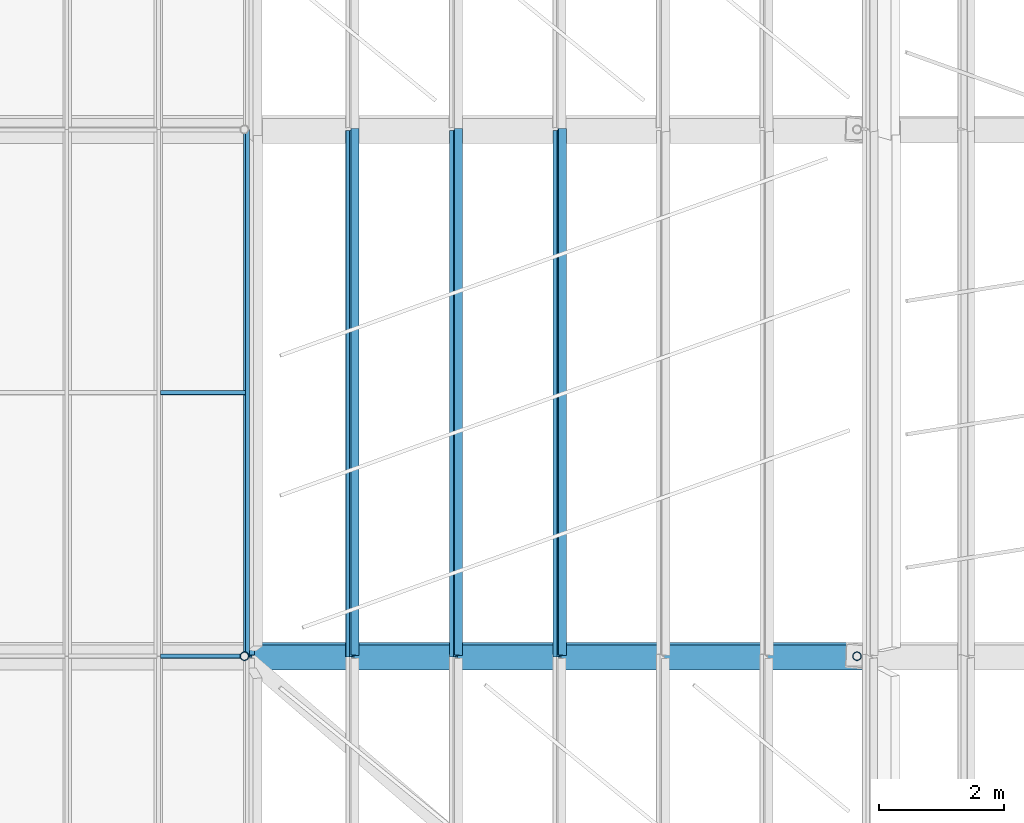
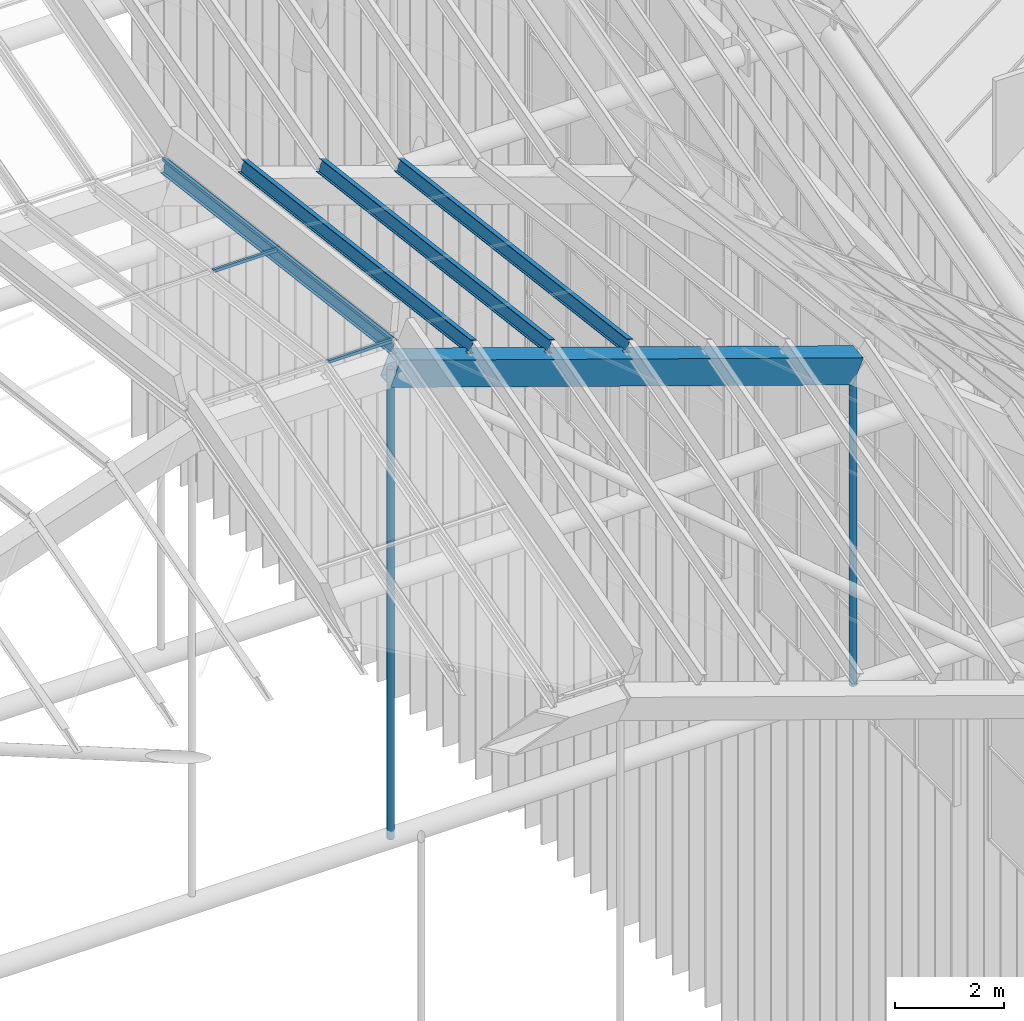
# One storey, part 40 of 126: 9 members, 1 beam.
"""IFC4 building model written with IfcOpenShell, lengths in metres."""

from ifc_helpers import new_model, si_unit, direction, frame, origin, origin_2d, place, context, subcontext, project, spatial, polyline, rectangle, hollow_circle, i_section, outline, extrude, material, material_profile, profile_set, type_object, element, save


model = new_model("IFC4")

# Units and contexts
model_context = context("Model", 3, precision=1e-05, world=origin(), true_north=direction((0.0, 1.0)))
body_context = subcontext(model_context, "Body", "Model", "MODEL_VIEW")
ifc_project = project(units=[si_unit("LENGTHUNIT", "METRE"), si_unit("AREAUNIT", "SQUARE_METRE"), si_unit("VOLUMEUNIT", "CUBIC_METRE"), si_unit("PLANEANGLEUNIT", "RADIAN"), si_unit("MASSUNIT", "GRAM", prefix="KILO")], contexts=[model_context])

# Site, building, storey
site_placement = place(None, origin())
site = spatial("IfcSite", under=ifc_project, at=site_placement, CompositionType="ELEMENT")
building_placement = place(site_placement, origin())
building = spatial("IfcBuilding", under=site, at=building_placement, Name="Sava Quay Ferry Terminal", CompositionType="ELEMENT")
storey_placement = place(building_placement, frame((0.0, 0.0, 15.0)))
storey = spatial("IfcBuildingStorey", under=building, at=storey_placement, Name="L03", CompositionType="ELEMENT", Elevation=15.0)

# Beam
ifc_material_1 = material(Name="Steel S355", Category="steel")
ifc_material_profile_1 = material_profile(ifc_material_1, outline(polyline([(-0.199951171875, -0.300048828125), (0.199951171875, -0.300048828125), (0.199951171875, 0.300048828125), (-0.199951171875, 0.300048828125), (-0.199951171875, -0.300048828125)]), holes=[polyline([(-0.175048828125, -0.27490234375), (-0.175048828125, 0.27490234375), (0.175048828125, 0.27490234375), (0.175048828125, -0.27490234375), (-0.175048828125, -0.27490234375)])]), Name="Box 600x400x25 built-up")
ifc_profile_set_1 = profile_set([ifc_material_profile_1], Name="Steel S355")
beam_type = type_object("IfcBeamType", Name="D folded rib Box 600x400x25", PredefinedType="BEAM", material=ifc_profile_set_1)
beam_placement = place(storey_placement, frame((65.10009765625, 58.800048828125, 21.254150390625), z_axis=(0.945520775213, 0.0, -0.325561766247), x_axis=(0.02317123021, 0.997463981395, 0.06729561583)))
element("IfcBeam", 1, at=beam_placement, inside=storey, type_object=beam_type, Name="Departure hall folded rib R1 seg 4", PredefinedType="BEAM", context=body_context, shape_type="SweptSolid", body=[
    extrude(outline(polyline([(-0.199951171875, -0.300048828125), (0.199951171875, -0.300048828125), (0.199951171875, 0.300048828125), (-0.199951171875, 0.300048828125), (-0.199951171875, -0.300048828125)]), holes=[polyline([(-0.175048828125, -0.27490234375), (-0.175048828125, 0.27490234375), (0.175048828125, 0.27490234375), (0.175048828125, -0.27490234375), (-0.175048828125, -0.27490234375)])]), origin(), (0.0, 0.0, 1.0), 10.3330078125),
])

# Members
ifc_material_2 = material(Name="Aluminium EN AW-6063 T6", Category="aluminium")
ifc_material_profile_2 = material_profile(ifc_material_2, rectangle(XDim=0.06005859375, YDim=0.06005859375, at=origin_2d()), Name="Bar 60 x 60")
ifc_profile_set_2 = profile_set([ifc_material_profile_2], Name="Aluminium EN AW-6063 T6")
member_type_1 = type_object("IfcMemberType", Name="Glazing bar 60x60", PredefinedType="USERDEFINED", material=ifc_profile_set_2)
member_1_placement = place(storey_placement, frame((65.149658203125, 58.800048828125, 21.85888671875), z_axis=(0.0, 0.992379601397, -0.123218207788), x_axis=(-1.0, 0.0, 0.0)))
element("IfcMember", 2, at=member_1_placement, inside=storey, type_object=member_type_1, Name="Departure hall glazing bar D-B1-GL2.3", ObjectType="GLAZING BAR", PredefinedType="USERDEFINED", context=body_context, shape_type="SweptSolid", body=[
    extrude(rectangle(XDim=0.06005859375, YDim=0.06005859375, at=origin_2d()), origin(), (0.0, 0.0, 1.0), 8.46435546875),
])
member_2_placement = place(storey_placement, frame((63.763427734375, 58.800048828125, 21.85595703125), z_axis=(1.0, 0.0, 0.0), x_axis=(0.0, 0.992379325118, -0.123220432876)))
element("IfcMember", 3, at=member_2_placement, inside=storey, type_object=member_type_1, Name="Departure hall glazing bar D-R1-GT2.2", ObjectType="GLAZING BAR", PredefinedType="USERDEFINED", context=body_context, shape_type="SweptSolid", body=[
    extrude(rectangle(XDim=0.06005859375, YDim=0.06005859375, at=origin_2d()), origin(), (0.0, 0.0, 1.0), 1.356689453125),
])
member_3_placement = place(storey_placement, frame((63.76318359375, 63.0, 21.33740234375), z_axis=(1.0, 0.0, 0.0), x_axis=(0.0, 0.992379325118, -0.123220432876)))
element("IfcMember", 4, at=member_3_placement, inside=storey, type_object=member_type_1, Name="Departure hall glazing bar D-B1M-GT2.2", ObjectType="GLAZING BAR", PredefinedType="USERDEFINED", context=body_context, shape_type="SweptSolid", body=[
    extrude(rectangle(XDim=0.06005859375, YDim=0.06005859375, at=origin_2d()), origin(), (0.0, 0.0, 1.0), 1.3564453125),
])
ifc_material_3 = material(Name="Steel S355", Category="steel")
ifc_material_profile_3 = material_profile(ifc_material_3, i_section(OverallWidth=0.135009765625, OverallDepth=0.27001953125, WebThickness=0.006591796875, FlangeThickness=0.01025390625, at=origin_2d()), Name="IPE 270")
ifc_profile_set_3 = profile_set([ifc_material_profile_3], Name="Steel S355")
member_type_2 = type_object("IfcMemberType", Name="Roof purlin IPE 270", PredefinedType="PURLIN", material=ifc_profile_set_3)
for number, where, z_axis, x_axis, name in (
    (5, (65.17236328125, 58.800048828125, 21.692626953125), (0.0, 0.992379601397, -0.123218207788), (-0.986478668853, 0.02019419591, 0.162640801612), "Departure hall purlin bay 2 V3"),
    (6, (66.823486328125, 58.800048828125, 21.1240234375), (0.0, 0.992379601397, -0.123218207788), (-0.946280328205, 0.039842287, 0.320883362952), "Departure hall purlin bay 2 M3.1"),
    (7, (68.474609375, 58.800048828125, 20.555419921875), (0.0, 0.992379601397, -0.123218207788), (-0.946280328205, 0.039842287, 0.320883362952), "Departure hall purlin bay 2 M3.2"),
    (8, (70.125732421875, 58.800048828125, 19.98681640625), (0.0, 0.992379601397, -0.123218207788), (-0.946280328205, 0.039842287, 0.320883362952), "Departure hall purlin bay 2 M3.3"),
):
    element("IfcMember", number, at=place(storey_placement, frame(where, z_axis=z_axis, x_axis=x_axis)), inside=storey, type_object=member_type_2, Name=name, PredefinedType="PURLIN", context=body_context, shape_type="SweptSolid", body=[
        extrude(i_section(OverallWidth=0.135009765625, OverallDepth=0.27001953125, WebThickness=0.006591796875, FlangeThickness=0.01025390625, at=origin_2d()), origin(), (0.0, 0.0, 1.0), 8.46435546875),
    ])
ifc_material_4 = material(Name="Steel S355", Category="steel")
ifc_material_profile_4 = material_profile(ifc_material_4, hollow_circle(Radius=0.06982421875, WallThickness=0.008056640625, at=origin_2d()), Name="CHS 139.7 x 8.0")
ifc_profile_set_4 = profile_set([ifc_material_profile_4], Name="Steel S355")
member_type_3 = type_object("IfcMemberType", Name="Tie hanger CHS 139.7x8", PredefinedType="USERDEFINED", material=ifc_profile_set_4)
member_4_placement = place(storey_placement, frame((65.10009765625, 58.800048828125, 10.757080078125), z_axis=(0.0, 0.0, 1.0), x_axis=(1.0, 0.0, 0.0)))
element("IfcMember", 9, at=member_4_placement, inside=storey, type_object=member_type_3, Name="Departure hall tie hanger R1 V3", ObjectType="TIE HANGER", PredefinedType="USERDEFINED", context=body_context, shape_type="SweptSolid", body=[
    extrude(hollow_circle(Radius=0.06982421875, WallThickness=0.008056640625, at=origin_2d()), origin(), (0.0, 0.0, 1.0), 10.4970703125),
])
member_5_placement = place(storey_placement, frame((74.8701171875, 58.800048828125, 10.757080078125), z_axis=(0.0, 0.0, 1.0), x_axis=(1.0, 0.0, 0.0)))
element("IfcMember", 10, at=member_5_placement, inside=storey, type_object=member_type_3, Name="Departure hall tie hanger R1 V4", ObjectType="TIE HANGER", PredefinedType="USERDEFINED", context=body_context, shape_type="SweptSolid", body=[
    extrude(hollow_circle(Radius=0.06982421875, WallThickness=0.008056640625, at=origin_2d()), origin(), (0.0, 0.0, 1.0), 7.133056640625),
])

save(model, "model.ifc")
